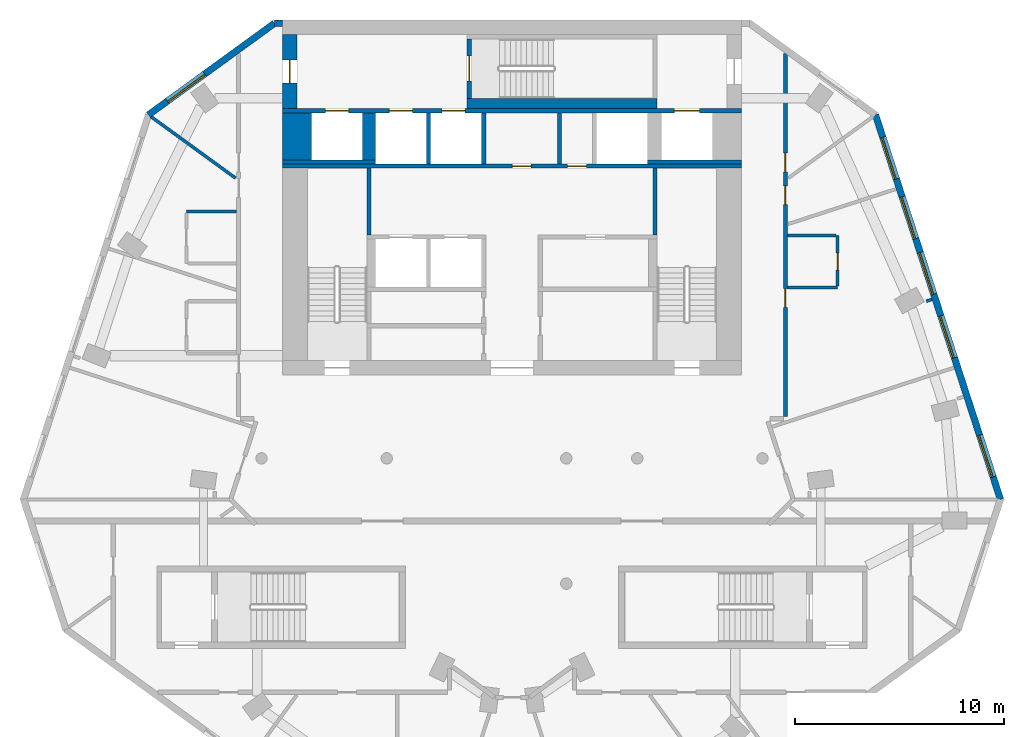
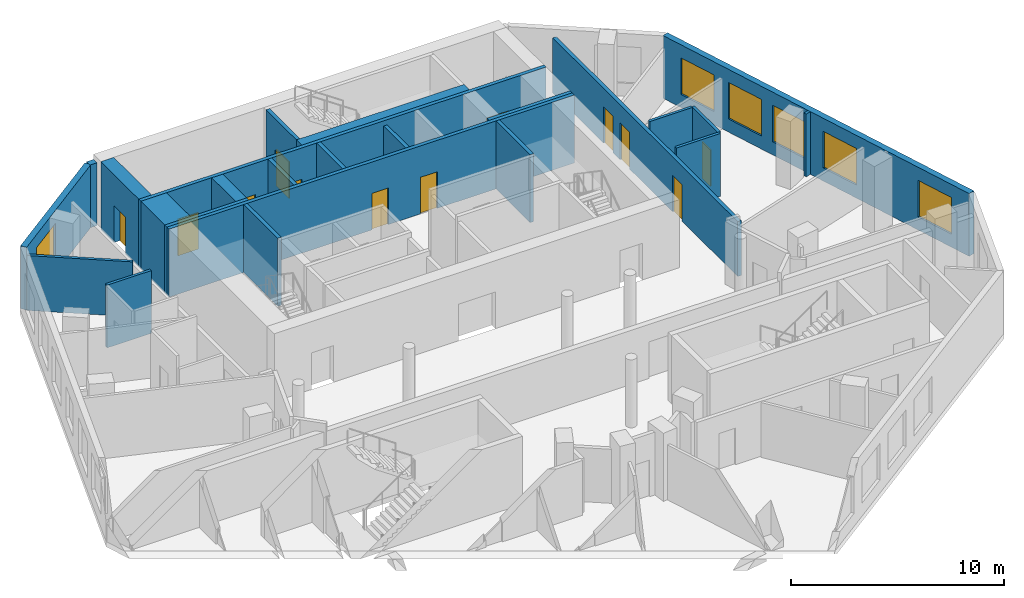
# One storey, part 5 of 8: 24 walls, 12 doors, 6 windows, 18 openings.
"""IFC4 building model written with IfcOpenShell, lengths in metres."""

from ifc_helpers import new_model, si_unit, direction, frame, frame_2d, origin, place, context, subcontext, project, spatial, rectangle, extrude, material, layer, layer_set, type_object, element, fill, save


model = new_model("IFC4")

# Units and contexts
model_context = context("Model", 3, precision=1e-05, world=origin(), true_north=direction((0.0, 1.0)))
body_context = subcontext(model_context, "Body", "Model", "MODEL_VIEW")
ifc_project = project(units=[si_unit("LENGTHUNIT", "METRE"), si_unit("AREAUNIT", "SQUARE_METRE"), si_unit("VOLUMEUNIT", "CUBIC_METRE"), si_unit("PLANEANGLEUNIT", "RADIAN"), si_unit("MASSUNIT", "GRAM", prefix="KILO")], contexts=[model_context])

# Site, building, storey
site_placement = place(None, origin())
site = spatial("IfcSite", under=ifc_project, at=site_placement, CompositionType="ELEMENT")
building_placement = place(site_placement, origin())
building = spatial("IfcBuilding", under=site, at=building_placement, Name="White Candle Pilgrim Tower", CompositionType="ELEMENT")
storey_placement = place(building_placement, frame((0.0, 0.0, 263.89990234375)))
storey = spatial("IfcBuildingStorey", under=building, at=storey_placement, Name="L62", CompositionType="ELEMENT", Elevation=263.89990234375)

# Walls
ifc_material_1 = material(Name="Concrete C50/60", Category="concrete")
ifc_layer_1 = layer(ifc_material_1, 1.39990234375)
ifc_layer_set_1 = layer_set([ifc_layer_1], Name="Core wall 1400 mm Concrete C50/60")
wall_type_1 = type_object("IfcWallType", Name="Core wall 1400 mm Concrete C50/60", PredefinedType="SHEAR", material=ifc_layer_set_1)
wall_1_placement = place(storey_placement, frame((59.699951171875, 81.300048828125, 0.0), z_axis=(0.0, 0.0, 1.0), x_axis=(0.0, 1.0, 0.0)))
element("IfcWall", 1, at=wall_1_placement, inside=storey, type_object=wall_type_1, Name="WL-L62-C39", PredefinedType="SHEAR", context=body_context, shape_type="SweptSolid", body=[
    extrude(rectangle(XDim=2.25, YDim=1.39990234375, at=frame_2d((1.125, 0.0))), origin(), (0.0, 0.0, 1.0), 3.900146484375),
])
ifc_layer_2 = layer(ifc_material_1, 0.199951171875)
ifc_layer_set_2 = layer_set([ifc_layer_2], Name="Core wall 200 mm Concrete C50/60")
wall_type_2 = type_object("IfcWallType", Name="Core wall 200 mm Concrete C50/60", PredefinedType="SHEAR", material=ifc_layer_set_2)
wall_2_placement = place(storey_placement, frame((59.0, 81.199951171875, 0.0), z_axis=(0.0, 0.0, 1.0), x_axis=(1.0, 0.0, 0.0)))
element("IfcWall", 2, at=wall_2_placement, inside=storey, type_object=wall_type_2, Name="WL-L62-C33", PredefinedType="SHEAR", context=body_context, shape_type="SweptSolid", body=[
    extrude(rectangle(XDim=4.449951171875, YDim=0.199951171875, at=frame_2d((2.22509765625, 0.0))), origin(), (0.0, 0.0, 1.0), 3.900146484375),
])
wall_3_placement = place(storey_placement, frame((76.5, 81.199951171875, 0.0), z_axis=(0.0, 0.0, 1.0), x_axis=(1.0, 0.0, 0.0)))
element("IfcWall", 3, at=wall_3_placement, inside=storey, type_object=wall_type_2, Name="WL-L62-C38", PredefinedType="SHEAR", context=body_context, shape_type="SweptSolid", body=[
    extrude(rectangle(XDim=4.5, YDim=0.199951171875, at=frame_2d((2.25, 0.0))), origin(), (0.0, 0.0, 1.0), 3.900146484375),
])

# Wall, openings, doors
wall_4_placement = place(storey_placement, frame((59.0, 83.64990234375, 0.0), z_axis=(0.0, 0.0, 1.0), x_axis=(1.0, 0.0, 0.0)))
wall_4 = element("IfcWall", 4, at=wall_4_placement, inside=storey, type_object=wall_type_2, Name="WL-L62-C43", PredefinedType="SHEAR", context=body_context, shape_type="SweptSolid", body=[
    extrude(rectangle(XDim=22.0, YDim=0.199951171875, at=frame_2d((11.0, 0.0))), origin(), (0.0, 0.0, 1.0), 3.900146484375),
])
opening_1_placement = place(wall_4_placement, frame((5.125, 0.0, 0.0)))
opening_1 = element("IfcOpeningElement", 5, at=opening_1_placement, cuts=wall_4, Name="Opening T19-016", PredefinedType="OPENING", context=body_context, shape_type="SweptSolid", body=[
    extrude(rectangle(XDim=1.10009765625, YDim=2.10009765625, at=frame_2d((0.550048828125, 1.050048828125))), frame((0.0, 0.10986328125, 0.0), z_axis=(0.0, -1.0, 0.0), x_axis=(1.0, 0.0, 0.0)), (0.0, 0.0, 1.0), 0.219970703125),
])
opening_2_placement = place(wall_4_placement, frame((7.64990234375, 0.0, 0.0)))
opening_2 = element("IfcOpeningElement", 6, at=opening_2_placement, cuts=wall_4, Name="Opening T19-017", PredefinedType="OPENING", context=body_context, shape_type="SweptSolid", body=[
    extrude(rectangle(XDim=1.10009765625, YDim=2.10009765625, at=frame_2d((0.550048828125, 1.050048828125))), frame((0.0, 0.10986328125, 0.0), z_axis=(0.0, -1.0, 0.0), x_axis=(1.0, 0.0, 0.0)), (0.0, 0.0, 1.0), 0.219970703125),
])
opening_3_placement = place(wall_4_placement, frame((18.77490234375, 0.0, 0.0)))
opening_3 = element("IfcOpeningElement", 7, at=opening_3_placement, cuts=wall_4, Name="Opening T19-018", PredefinedType="OPENING", context=body_context, shape_type="SweptSolid", body=[
    extrude(rectangle(XDim=1.199951171875, YDim=2.10009765625, at=frame_2d((0.60009765625, 1.050048828125))), frame((0.0, 0.10986328125, 0.0), z_axis=(0.0, -1.0, 0.0), x_axis=(1.0, 0.0, 0.0)), (0.0, 0.0, 1.0), 0.219970703125),
])
opening_4_placement = place(wall_4_placement, frame((2.074951171875, 0.0, 0.0)))
opening_4 = element("IfcOpeningElement", 8, at=opening_4_placement, cuts=wall_4, Name="Opening T19-019", PredefinedType="OPENING", context=body_context, shape_type="SweptSolid", body=[
    extrude(rectangle(XDim=1.10009765625, YDim=2.10009765625, at=frame_2d((0.550048828125, 1.050048828125))), frame((0.0, 0.10986328125, 0.0), z_axis=(0.0, -1.0, 0.0), x_axis=(1.0, 0.0, 0.0)), (0.0, 0.0, 1.0), 0.219970703125),
])
ifc_material_2 = material(Name="Stainless steel", Category="steel")
door_type_1 = type_object("IfcDoorType", Name="Lift landing door 1100 x 2100 EI 60", OperationType="DOUBLE_DOOR_SLIDING", PredefinedType="DOOR", material=ifc_material_2)
door_1_placement = place(opening_1_placement, origin())
door_1 = element("IfcDoor", 9, at=door_1_placement, inside=storey, type_object=door_type_1, Name="Door T19-016", OperationType="DOUBLE_DOOR_SLIDING", OverallHeight=2.10009765625, OverallWidth=1.10009765625, PredefinedType="DOOR", context=body_context, shape_type="SweptSolid", body=[
    extrude(rectangle(XDim=1.10009765625, YDim=2.10009765625, at=frame_2d((0.550048828125, 1.050048828125))), frame((0.0, 0.02490234375, 0.0), z_axis=(0.0, -1.0, 0.0), x_axis=(1.0, 0.0, 0.0)), (0.0, 0.0, 1.0), 0.050048828125),
])
fill(opening_1, door_1)
door_2_placement = place(opening_2_placement, origin())
door_2 = element("IfcDoor", 10, at=door_2_placement, inside=storey, type_object=door_type_1, Name="Door T19-017", OperationType="DOUBLE_DOOR_SLIDING", OverallHeight=2.10009765625, OverallWidth=1.10009765625, PredefinedType="DOOR", context=body_context, shape_type="SweptSolid", body=[
    extrude(rectangle(XDim=1.10009765625, YDim=2.10009765625, at=frame_2d((0.550048828125, 1.050048828125))), frame((0.0, 0.02490234375, 0.0), z_axis=(0.0, -1.0, 0.0), x_axis=(1.0, 0.0, 0.0)), (0.0, 0.0, 1.0), 0.050048828125),
])
fill(opening_2, door_2)
door_3_placement = place(opening_4_placement, origin())
door_3 = element("IfcDoor", 11, at=door_3_placement, inside=storey, type_object=door_type_1, Name="Door T19-019", OperationType="DOUBLE_DOOR_SLIDING", OverallHeight=2.10009765625, OverallWidth=1.10009765625, PredefinedType="DOOR", context=body_context, shape_type="SweptSolid", body=[
    extrude(rectangle(XDim=1.10009765625, YDim=2.10009765625, at=frame_2d((0.550048828125, 1.050048828125))), frame((0.0, 0.02490234375, 0.0), z_axis=(0.0, -1.0, 0.0), x_axis=(1.0, 0.0, 0.0)), (0.0, 0.0, 1.0), 0.050048828125),
])
fill(opening_4, door_3)
door_type_2 = type_object("IfcDoorType", Name="Lift landing door 1200 x 2100 E 60", OperationType="DOUBLE_DOOR_SLIDING", PredefinedType="DOOR", material=ifc_material_2)
door_4_placement = place(opening_3_placement, origin())
door_4 = element("IfcDoor", 12, at=door_4_placement, inside=storey, type_object=door_type_2, Name="Door T19-018", OperationType="DOUBLE_DOOR_SLIDING", OverallHeight=2.10009765625, OverallWidth=1.199951171875, PredefinedType="DOOR", context=body_context, shape_type="SweptSolid", body=[
    extrude(rectangle(XDim=1.199951171875, YDim=2.10009765625, at=frame_2d((0.60009765625, 1.050048828125))), frame((0.0, 0.02490234375, 0.0), z_axis=(0.0, -1.0, 0.0), x_axis=(1.0, 0.0, 0.0)), (0.0, 0.0, 1.0), 0.050048828125),
])
fill(opening_3, door_4)

# Wall, opening, door
ifc_layer_3 = layer(ifc_material_1, 0.699951171875)
ifc_layer_set_3 = layer_set([ifc_layer_3], Name="Core wall 700 mm Concrete C50/60")
wall_type_3 = type_object("IfcWallType", Name="Core wall 700 mm Concrete C50/60", PredefinedType="SHEAR", material=ifc_layer_set_3)
wall_5_placement = place(storey_placement, frame((59.35009765625, 83.75, 0.0), z_axis=(0.0, 0.0, 1.0), x_axis=(0.0, 1.0, 0.0)))
wall_5 = element("IfcWall", 13, at=wall_5_placement, inside=storey, type_object=wall_type_3, Name="WL-L62-C44", PredefinedType="SHEAR", context=body_context, shape_type="SweptSolid", body=[
    extrude(rectangle(XDim=3.550048828125, YDim=0.699951171875, at=frame_2d((1.77490234375, 0.0))), origin(), (0.0, 0.0, 1.0), 3.900146484375),
])
opening_5_placement = place(wall_5_placement, frame((1.22509765625, 0.0, 0.0)))
opening_5 = element("IfcOpeningElement", 14, at=opening_5_placement, cuts=wall_5, Name="Opening T19-008", PredefinedType="OPENING", context=body_context, shape_type="SweptSolid", body=[
    extrude(rectangle(XDim=1.10009765625, YDim=2.10009765625, at=frame_2d((0.550048828125, 1.050048828125))), frame((0.0, 0.35986328125, 0.0), z_axis=(0.0, -1.0, 0.0), x_axis=(1.0, 0.0, 0.0)), (0.0, 0.0, 1.0), 0.719970703125),
])
ifc_material_3 = material(Name="Steel door leaf", Category="steel")
door_type_3 = type_object("IfcDoorType", Name="Fire door 1100 x 2100 EI 60", OperationType="NOTDEFINED", PredefinedType="DOOR", material=ifc_material_3)
door_5_placement = place(opening_5_placement, origin())
door_5 = element("IfcDoor", 15, at=door_5_placement, inside=storey, type_object=door_type_3, Name="Door T19-008", OperationType="SINGLE_SWING_RIGHT", OverallHeight=2.10009765625, OverallWidth=1.10009765625, PredefinedType="DOOR", context=body_context, shape_type="SweptSolid", body=[
    extrude(rectangle(XDim=1.10009765625, YDim=2.10009765625, at=frame_2d((0.550048828125, 1.050048828125))), frame((0.0, 0.02490234375, 0.0), z_axis=(0.0, -1.0, 0.0), x_axis=(1.0, 0.0, 0.0)), (0.0, 0.0, 1.0), 0.050048828125),
])
fill(opening_5, door_5)

# Wall, openings, doors
ifc_material_4 = material(Name="Gypsum board on steel studs", Category="steel")
ifc_layer_4 = layer(ifc_material_4, 0.199951171875)
ifc_layer_set_4 = layer_set([ifc_layer_4], Name="Corridor wall 200 mm EI 45")
wall_type_4 = type_object("IfcWallType", Name="Corridor wall 200 mm EI 45", PredefinedType="PARTITIONING", material=ifc_layer_set_4)
wall_6_placement = place(storey_placement, frame((83.10009765625, 86.396240234375, 0.0), z_axis=(0.0, 0.0, 1.0), x_axis=(0.0, -1.0, 0.0)))
wall_6 = element("IfcWall", 16, at=wall_6_placement, inside=storey, type_object=wall_type_4, Name="WL-L62-P007", PredefinedType="PARTITIONING", context=body_context, shape_type="SweptSolid", body=[
    extrude(rectangle(XDim=17.396240234375, YDim=0.199951171875, at=frame_2d((8.6982421875, 0.0))), origin(), (0.0, 0.0, 1.0), 3.150146484375),
])
opening_6_placement = place(wall_6_placement, frame((4.768798828125, 0.0, 0.0)))
opening_6 = element("IfcOpeningElement", 17, at=opening_6_placement, cuts=wall_6, Name="Opening T19-118", PredefinedType="OPENING", context=body_context, shape_type="SweptSolid", body=[
    extrude(rectangle(XDim=0.89990234375, YDim=2.10009765625, at=frame_2d((0.449951171875, 1.050048828125))), frame((0.0, 0.10986328125, 0.0), z_axis=(0.0, -1.0, 0.0), x_axis=(1.0, 0.0, 0.0)), (0.0, 0.0, 1.0), 0.219970703125),
])
opening_7_placement = place(wall_6_placement, frame((6.34521484375, 0.0, 0.0)))
opening_7 = element("IfcOpeningElement", 18, at=opening_7_placement, cuts=wall_6, Name="Opening T19-119", PredefinedType="OPENING", context=body_context, shape_type="SweptSolid", body=[
    extrude(rectangle(XDim=0.89990234375, YDim=2.10009765625, at=frame_2d((0.449951171875, 1.050048828125))), frame((0.0, 0.10986328125, 0.0), z_axis=(0.0, -1.0, 0.0), x_axis=(1.0, 0.0, 0.0)), (0.0, 0.0, 1.0), 0.219970703125),
])
opening_8_placement = place(wall_6_placement, frame((11.259033203125, 0.0, 0.0)))
opening_8 = element("IfcOpeningElement", 19, at=opening_8_placement, cuts=wall_6, Name="Opening T19-120", PredefinedType="OPENING", context=body_context, shape_type="SweptSolid", body=[
    extrude(rectangle(XDim=0.89990234375, YDim=2.10009765625, at=frame_2d((0.449951171875, 1.050048828125))), frame((0.0, 0.10986328125, 0.0), z_axis=(0.0, -1.0, 0.0), x_axis=(1.0, 0.0, 0.0)), (0.0, 0.0, 1.0), 0.219970703125),
])
door_type_4 = type_object("IfcDoorType", Name="Fire door 900 x 2100 EI 30", OperationType="NOTDEFINED", PredefinedType="DOOR", material=ifc_material_3)
door_6_placement = place(opening_6_placement, origin())
door_6 = element("IfcDoor", 20, at=door_6_placement, inside=storey, type_object=door_type_4, Name="Door T19-118", OperationType="SINGLE_SWING_RIGHT", OverallHeight=2.10009765625, OverallWidth=0.89990234375, PredefinedType="DOOR", context=body_context, shape_type="SweptSolid", body=[
    extrude(rectangle(XDim=0.89990234375, YDim=2.10009765625, at=frame_2d((0.449951171875, 1.050048828125))), frame((0.0, 0.02490234375, 0.0), z_axis=(0.0, -1.0, 0.0), x_axis=(1.0, 0.0, 0.0)), (0.0, 0.0, 1.0), 0.050048828125),
])
fill(opening_6, door_6)
door_7_placement = place(opening_7_placement, origin())
door_7 = element("IfcDoor", 21, at=door_7_placement, inside=storey, type_object=door_type_4, Name="Door T19-119", OperationType="SINGLE_SWING_LEFT", OverallHeight=2.10009765625, OverallWidth=0.89990234375, PredefinedType="DOOR", context=body_context, shape_type="SweptSolid", body=[
    extrude(rectangle(XDim=0.89990234375, YDim=2.10009765625, at=frame_2d((0.449951171875, 1.050048828125))), frame((0.0, 0.02490234375, 0.0), z_axis=(0.0, -1.0, 0.0), x_axis=(1.0, 0.0, 0.0)), (0.0, 0.0, 1.0), 0.050048828125),
])
fill(opening_7, door_7)
door_8_placement = place(opening_8_placement, frame((0.89990234375, 0.0, 0.0), z_axis=(0.0, 0.0, 1.0), x_axis=(-1.0, 0.0, 0.0)))
door_8 = element("IfcDoor", 22, at=door_8_placement, inside=storey, type_object=door_type_4, Name="Door T19-120", OperationType="SINGLE_SWING_LEFT", OverallHeight=2.10009765625, OverallWidth=0.89990234375, PredefinedType="DOOR", context=body_context, shape_type="SweptSolid", body=[
    extrude(rectangle(XDim=0.89990234375, YDim=2.10009765625, at=frame_2d((0.449951171875, 1.050048828125))), frame((0.0, 0.02490234375, 0.0), z_axis=(0.0, -1.0, 0.0), x_axis=(1.0, 0.0, 0.0)), (0.0, 0.0, 1.0), 0.050048828125),
])
fill(opening_8, door_8)

# Wall, openings, windows
ifc_material_5 = material(Name="Precast concrete C40/50", Category="concrete")
ifc_layer_5 = layer(ifc_material_5, 0.320068359375)
ifc_layer_set_5 = layer_set([ifc_layer_5], Name="Facade wall EW1 precast concrete C40/50 pier wall with timber-lined reveals")
wall_type_5 = type_object("IfcWallType", Name="Facade wall EW1 precast concrete C40/50 pier wall with timber-lined reveals", PredefinedType="SOLIDWALL", material=ifc_layer_set_5)
wall_7_placement = place(storey_placement, frame((93.40087890625, 65.03759765625, 0.0), z_axis=(0.0, 0.0, 1.0), x_axis=(-0.309018808064, 0.95105592699, 0.0)))
wall_7 = element("IfcWall", 23, at=wall_7_placement, inside=storey, type_object=wall_type_5, Name="Facade wall L62 ENE", PredefinedType="SOLIDWALL", context=body_context, shape_type="SweptSolid", body=[
    extrude(rectangle(XDim=19.368896484375, YDim=0.320068359375, at=frame_2d((9.6845703125, 0.0))), origin(), (0.0, 0.0, 1.0), 3.60009765625),
])
opening_9_placement = place(wall_7_placement, frame((1.134521484375, 0.0, 0.75)))
opening_9 = element("IfcOpeningElement", 24, at=opening_9_placement, cuts=wall_7, Name="Opening W3", PredefinedType="OPENING", context=body_context, shape_type="SweptSolid", body=[
    extrude(rectangle(XDim=2.10009765625, YDim=2.10009765625, at=frame_2d((1.050048828125, 1.050048828125))), frame((0.0, 0.169921875, 0.0), z_axis=(0.0, -1.0, 0.0), x_axis=(1.0, 0.0, 0.0)), (0.0, 0.0, 1.0), 0.340087890625),
])
opening_10_placement = place(wall_7_placement, frame((7.134521484375, 0.0, 0.75)))
opening_10 = element("IfcOpeningElement", 25, at=opening_10_placement, cuts=wall_7, Name="Opening W3", PredefinedType="OPENING", context=body_context, shape_type="SweptSolid", body=[
    extrude(rectangle(XDim=2.10009765625, YDim=2.10009765625, at=frame_2d((1.050048828125, 1.050048828125))), frame((0.0, 0.169921875, 0.0), z_axis=(0.0, -1.0, 0.0), x_axis=(1.0, 0.0, 0.0)), (0.0, 0.0, 1.0), 0.340087890625),
])
opening_11_placement = place(wall_7_placement, frame((10.33447265625, 0.0, 0.75)))
opening_11 = element("IfcOpeningElement", 26, at=opening_11_placement, cuts=wall_7, Name="Opening W3", PredefinedType="OPENING", context=body_context, shape_type="SweptSolid", body=[
    extrude(rectangle(XDim=2.10009765625, YDim=2.10009765625, at=frame_2d((1.050048828125, 1.050048828125))), frame((0.0, 0.169921875, 0.0), z_axis=(0.0, -1.0, 0.0), x_axis=(1.0, 0.0, 0.0)), (0.0, 0.0, 1.0), 0.340087890625),
])
opening_12_placement = place(wall_7_placement, frame((13.134521484375, 0.0, 0.75)))
opening_12 = element("IfcOpeningElement", 27, at=opening_12_placement, cuts=wall_7, Name="Opening W3", PredefinedType="OPENING", context=body_context, shape_type="SweptSolid", body=[
    extrude(rectangle(XDim=2.10009765625, YDim=2.10009765625, at=frame_2d((1.050048828125, 1.050048828125))), frame((0.0, 0.169921875, 0.0), z_axis=(0.0, -1.0, 0.0), x_axis=(1.0, 0.0, 0.0)), (0.0, 0.0, 1.0), 0.340087890625),
])
opening_13_placement = place(wall_7_placement, frame((16.134521484375, 0.0, 0.75)))
opening_13 = element("IfcOpeningElement", 28, at=opening_13_placement, cuts=wall_7, Name="Opening W3", PredefinedType="OPENING", context=body_context, shape_type="SweptSolid", body=[
    extrude(rectangle(XDim=2.10009765625, YDim=2.10009765625, at=frame_2d((1.050048828125, 1.050048828125))), frame((0.0, 0.169921875, 0.0), z_axis=(0.0, -1.0, 0.0), x_axis=(1.0, 0.0, 0.0)), (0.0, 0.0, 1.0), 0.340087890625),
])
ifc_material_6 = material(Name="Timber frame with triple glazing", Category="wood")
window_type_1 = type_object("IfcWindowType", Name="Window W3 2100x2100 timber frame triple glazing", PartitioningType="SINGLE_PANEL", PredefinedType="WINDOW", material=ifc_material_6)
window_1_placement = place(opening_9_placement, origin())
window_1 = element("IfcWindow", 29, at=window_1_placement, inside=storey, type_object=window_type_1, Name="Window W3 L62 ENE 1", OverallHeight=2.10009765625, OverallWidth=2.10009765625, PartitioningType="SINGLE_PANEL", PredefinedType="WINDOW", context=body_context, shape_type="SweptSolid", body=[
    extrude(rectangle(XDim=2.10009765625, YDim=2.10009765625, at=frame_2d((1.050048828125, 1.050048828125))), frame((0.0, 0.070068359375, 0.0), z_axis=(0.0, -1.0, 0.0), x_axis=(1.0, 0.0, 0.0)), (0.0, 0.0, 1.0), 0.06005859375),
])
fill(opening_9, window_1)
window_2_placement = place(opening_10_placement, origin())
window_2 = element("IfcWindow", 30, at=window_2_placement, inside=storey, type_object=window_type_1, Name="Window W3 L62 ENE 3", OverallHeight=2.10009765625, OverallWidth=2.10009765625, PartitioningType="SINGLE_PANEL", PredefinedType="WINDOW", context=body_context, shape_type="SweptSolid", body=[
    extrude(rectangle(XDim=2.10009765625, YDim=2.10009765625, at=frame_2d((1.050048828125, 1.050048828125))), frame((0.0, 0.070068359375, 0.0), z_axis=(0.0, -1.0, 0.0), x_axis=(1.0, 0.0, 0.0)), (0.0, 0.0, 1.0), 0.06005859375),
])
fill(opening_10, window_2)
window_3_placement = place(opening_11_placement, origin())
window_3 = element("IfcWindow", 31, at=window_3_placement, inside=storey, type_object=window_type_1, Name="Window W3 L62 ENE 4", OverallHeight=2.10009765625, OverallWidth=2.10009765625, PartitioningType="SINGLE_PANEL", PredefinedType="WINDOW", context=body_context, shape_type="SweptSolid", body=[
    extrude(rectangle(XDim=2.10009765625, YDim=2.10009765625, at=frame_2d((1.050048828125, 1.050048828125))), frame((0.0, 0.070068359375, 0.0), z_axis=(0.0, -1.0, 0.0), x_axis=(1.0, 0.0, 0.0)), (0.0, 0.0, 1.0), 0.06005859375),
])
fill(opening_11, window_3)
window_4_placement = place(opening_12_placement, origin())
window_4 = element("IfcWindow", 32, at=window_4_placement, inside=storey, type_object=window_type_1, Name="Window W3 L62 ENE 5", OverallHeight=2.10009765625, OverallWidth=2.10009765625, PartitioningType="SINGLE_PANEL", PredefinedType="WINDOW", context=body_context, shape_type="SweptSolid", body=[
    extrude(rectangle(XDim=2.10009765625, YDim=2.10009765625, at=frame_2d((1.050048828125, 1.050048828125))), frame((0.0, 0.070068359375, 0.0), z_axis=(0.0, -1.0, 0.0), x_axis=(1.0, 0.0, 0.0)), (0.0, 0.0, 1.0), 0.06005859375),
])
fill(opening_12, window_4)
window_5_placement = place(opening_13_placement, origin())
window_5 = element("IfcWindow", 33, at=window_5_placement, inside=storey, type_object=window_type_1, Name="Window W3 L62 ENE 6", OverallHeight=2.10009765625, OverallWidth=2.10009765625, PartitioningType="SINGLE_PANEL", PredefinedType="WINDOW", context=body_context, shape_type="SweptSolid", body=[
    extrude(rectangle(XDim=2.10009765625, YDim=2.10009765625, at=frame_2d((1.050048828125, 1.050048828125))), frame((0.0, 0.070068359375, 0.0), z_axis=(0.0, -1.0, 0.0), x_axis=(1.0, 0.0, 0.0)), (0.0, 0.0, 1.0), 0.06005859375),
])
fill(opening_13, window_5)

# Wall
wall_8_placement = place(storey_placement, frame((59.0, 87.840087890625, 0.0), z_axis=(0.0, 0.0, 1.0), x_axis=(-1.0, 0.0, 0.0)))
element("IfcWall", 34, at=wall_8_placement, inside=storey, type_object=wall_type_5, Name="Facade wall L62 N", PredefinedType="SOLIDWALL", context=body_context, shape_type="SweptSolid", body=[
    extrude(rectangle(XDim=0.385009765625, YDim=0.320068359375, at=frame_2d((0.1923828125, 0.0))), origin(), (0.0, 0.0, 1.0), 3.60009765625),
])

# Wall, opening, window
wall_9_placement = place(storey_placement, frame((58.614990234375, 87.840087890625, 0.0), z_axis=(0.0, 0.0, 1.0), x_axis=(-0.80900651237, -0.587799679264, 0.0)))
wall_9 = element("IfcWall", 35, at=wall_9_placement, inside=storey, type_object=wall_type_5, Name="Facade wall L62 NW chamfer", PredefinedType="SOLIDWALL", context=body_context, shape_type="SweptSolid", body=[
    extrude(rectangle(XDim=7.454345703125, YDim=0.320068359375, at=frame_2d((3.72705078125, 0.0))), origin(), (0.0, 0.0, 1.0), 3.60009765625),
])
opening_14_placement = place(wall_9_placement, frame((4.127197265625, 0.0, 0.75)))
opening_14 = element("IfcOpeningElement", 36, at=opening_14_placement, cuts=wall_9, Name="Opening W4", PredefinedType="OPENING", context=body_context, shape_type="SweptSolid", body=[
    extrude(rectangle(XDim=2.199951171875, YDim=2.10009765625, at=frame_2d((1.10009765625, 1.050048828125))), frame((0.0, 0.169921875, 0.0), z_axis=(0.0, -1.0, 0.0), x_axis=(1.0, 0.0, 0.0)), (0.0, 0.0, 1.0), 0.340087890625),
])
window_type_2 = type_object("IfcWindowType", Name="Window W4 2200x2100 timber frame triple glazing", PartitioningType="SINGLE_PANEL", PredefinedType="WINDOW", material=ifc_material_6)
window_6_placement = place(opening_14_placement, origin())
window_6 = element("IfcWindow", 37, at=window_6_placement, inside=storey, type_object=window_type_2, Name="Window W4 L62 NW chamfer 2", OverallHeight=2.10009765625, OverallWidth=2.199951171875, PartitioningType="SINGLE_PANEL", PredefinedType="WINDOW", context=body_context, shape_type="SweptSolid", body=[
    extrude(rectangle(XDim=2.199951171875, YDim=2.10009765625, at=frame_2d((1.10009765625, 1.050048828125))), frame((0.0, 0.070068359375, 0.0), z_axis=(0.0, -1.0, 0.0), x_axis=(1.0, 0.0, 0.0)), (0.0, 0.0, 1.0), 0.06005859375),
])
fill(opening_14, window_6)

# Walls
ifc_layer_6 = layer(ifc_material_4, 0.199951171875)
ifc_layer_set_6 = layer_set([ifc_layer_6], Name="Lobby wall 200 mm EI 60")
wall_type_6 = type_object("IfcWallType", Name="Lobby wall 200 mm EI 60", PredefinedType="PARTITIONING", material=ifc_layer_set_6)
wall_10_placement = place(storey_placement, frame((72.280029296875, 81.10009765625, 0.0), z_axis=(0.0, 0.0, 1.0), x_axis=(0.0, 1.0, 0.0)))
element("IfcWall", 38, at=wall_10_placement, inside=storey, type_object=wall_type_6, Name="WL-L62-C36", PredefinedType="PARTITIONING", context=body_context, shape_type="SweptSolid", body=[
    extrude(rectangle(XDim=2.449951171875, YDim=0.199951171875, at=frame_2d((1.22509765625, 0.0))), origin(), (0.0, 0.0, 1.0), 3.60009765625),
])
ifc_layer_7 = layer(ifc_material_4, 0.14990234375)
ifc_layer_set_7 = layer_set([ifc_layer_7], Name="Partition 150 mm EI 60")
wall_type_7 = type_object("IfcWallType", Name="Partition 150 mm EI 60", PredefinedType="PARTITIONING", material=ifc_layer_set_7)
wall_11_placement = place(storey_placement, frame((52.720458984375, 83.359619140625, 0.0), z_axis=(0.0, 0.0, 1.0), x_axis=(0.809017493514, -0.587784565286, 0.0)))
element("IfcWall", 39, at=wall_11_placement, inside=storey, type_object=wall_type_7, Name="WL-L62-P019", PredefinedType="PARTITIONING", context=body_context, shape_type="SweptSolid", body=[
    extrude(rectangle(XDim=4.988037109375, YDim=0.14990234375, at=frame_2d((2.494140625, 0.0))), origin(), (0.0, 0.0, 1.0), 3.150146484375),
])
for number, where, z_axis, x_axis, name in (
    (40, (56.800048828125, 78.827880859375, 0.0), (0.0, 0.0, 1.0), (-1.0, 0.0, 0.0), "WL-L62-P031"),
    (41, (83.199951171875, 75.182373046875, 0.0), (0.0, 0.0, 1.0), (1.0, 0.0, 0.0), "WL-L62-P044"),
):
    element("IfcWall", number, at=place(storey_placement, frame(where, z_axis=z_axis, x_axis=x_axis)), inside=storey, type_object=wall_type_7, Name=name, PredefinedType="PARTITIONING", context=body_context, shape_type="SweptSolid", body=[
        extrude(rectangle(XDim=2.400146484375, YDim=0.14990234375, at=frame_2d((1.2001953125, 0.0))), origin(), (0.0, 0.0, 1.0), 3.60009765625),
    ])

# Wall, opening, door
wall_12_placement = place(storey_placement, frame((85.60009765625, 77.682373046875, 0.0), z_axis=(0.0, 0.0, 1.0), x_axis=(0.0, -1.0, 0.0)))
wall_12 = element("IfcWall", 42, at=wall_12_placement, inside=storey, type_object=wall_type_7, Name="WL-L62-P045", PredefinedType="PARTITIONING", context=body_context, shape_type="SweptSolid", body=[
    extrude(rectangle(XDim=2.425048828125, YDim=0.14990234375, at=frame_2d((1.21240234375, 0.0))), origin(), (0.0, 0.0, 1.0), 3.60009765625),
])
opening_15_placement = place(wall_12_placement, frame((0.85009765625, 0.0, 0.0)))
opening_15 = element("IfcOpeningElement", 43, at=opening_15_placement, cuts=wall_12, Name="Opening T19-110", PredefinedType="OPENING", context=body_context, shape_type="SweptSolid", body=[
    extrude(rectangle(XDim=0.800048828125, YDim=2.10009765625, at=frame_2d((0.39990234375, 1.050048828125))), frame((0.0, 0.0849609375, 0.0), z_axis=(0.0, -1.0, 0.0), x_axis=(1.0, 0.0, 0.0)), (0.0, 0.0, 1.0), 0.169921875),
])
door_type_5 = type_object("IfcDoorType", Name="Fire door 800 x 2100 EI 30", OperationType="NOTDEFINED", PredefinedType="DOOR", material=ifc_material_3)
door_9_placement = place(opening_15_placement, origin())
door_9 = element("IfcDoor", 44, at=door_9_placement, inside=storey, type_object=door_type_5, Name="Door T19-110", OperationType="SINGLE_SWING_RIGHT", OverallHeight=2.10009765625, OverallWidth=0.800048828125, PredefinedType="DOOR", context=body_context, shape_type="SweptSolid", body=[
    extrude(rectangle(XDim=0.800048828125, YDim=2.10009765625, at=frame_2d((0.39990234375, 1.050048828125))), frame((0.0, 0.02490234375, 0.0), z_axis=(0.0, -1.0, 0.0), x_axis=(1.0, 0.0, 0.0)), (0.0, 0.0, 1.0), 0.050048828125),
])
fill(opening_15, door_9)

# Walls
wall_13_placement = place(storey_placement, frame((83.199951171875, 77.682373046875, 0.0), z_axis=(0.0, 0.0, 1.0), x_axis=(1.0, 0.0, 0.0)))
element("IfcWall", 45, at=wall_13_placement, inside=storey, type_object=wall_type_7, Name="WL-L62-P046", PredefinedType="PARTITIONING", context=body_context, shape_type="SweptSolid", body=[
    extrude(rectangle(XDim=2.324951171875, YDim=0.14990234375, at=frame_2d((1.16259765625, 0.0))), origin(), (0.0, 0.0, 1.0), 3.60009765625),
])
wall_14_placement = place(storey_placement, frame((89.844482421875, 74.528564453125, 0.0), z_axis=(0.0, 0.0, 1.0), x_axis=(0.950934896197, 0.30939105222, 0.0)))
element("IfcWall", 46, at=wall_14_placement, inside=storey, type_object=wall_type_7, Name="WL-L62-P050", PredefinedType="PARTITIONING", context=body_context, shape_type="SweptSolid", body=[
    extrude(rectangle(XDim=0.28955078125, YDim=0.14990234375, at=frame_2d((0.144775390625, 0.0))), origin(), (0.0, 0.0, 1.0), 3.60009765625),
])
ifc_layer_8 = layer(ifc_material_1, 0.199951171875)
ifc_layer_set_8 = layer_set([ifc_layer_8], Name="Shaft wall 200 mm Concrete C50/60")
wall_type_8 = type_object("IfcWallType", Name="Shaft wall 200 mm Concrete C50/60", PredefinedType="SHEAR", material=ifc_layer_set_8)
for number, where, z_axis, x_axis, name in (
    (47, (66.0, 81.10009765625, 0.0), (0.0, 0.0, 1.0), (0.0, 1.0, 0.0), "WL-L62-C34"),
    (48, (68.64990234375, 81.10009765625, 0.0), (0.0, 0.0, 1.0), (0.0, 1.0, 0.0), "WL-L62-C35"),
):
    element("IfcWall", number, at=place(storey_placement, frame(where, z_axis=z_axis, x_axis=x_axis)), inside=storey, type_object=wall_type_8, Name=name, PredefinedType="SHEAR", context=body_context, shape_type="SweptSolid", body=[
        extrude(rectangle(XDim=2.449951171875, YDim=0.199951171875, at=frame_2d((1.22509765625, 0.0))), origin(), (0.0, 0.0, 1.0), 3.900146484375),
    ])
ifc_layer_9 = layer(ifc_material_1, 0.60009765625)
ifc_layer_set_9 = layer_set([ifc_layer_9], Name="Shaft wall 600 mm Concrete C50/60")
wall_type_9 = type_object("IfcWallType", Name="Shaft wall 600 mm Concrete C50/60", PredefinedType="SHEAR", material=ifc_layer_set_9)
wall_15_placement = place(storey_placement, frame((63.14990234375, 81.300048828125, 0.0), z_axis=(0.0, 0.0, 1.0), x_axis=(0.0, 1.0, 0.0)))
element("IfcWall", 49, at=wall_15_placement, inside=storey, type_object=wall_type_9, Name="WL-L62-C40", PredefinedType="SHEAR", context=body_context, shape_type="SweptSolid", body=[
    extrude(rectangle(XDim=2.25, YDim=0.60009765625, at=frame_2d((1.125, 0.0))), origin(), (0.0, 0.0, 1.0), 3.900146484375),
])
ifc_layer_10 = layer(ifc_material_1, 0.199951171875)
ifc_layer_set_10 = layer_set([ifc_layer_10], Name="Stair shaft wall 200 mm Concrete C50/60")
wall_type_10 = type_object("IfcWallType", Name="Stair shaft wall 200 mm Concrete C50/60", PredefinedType="SHEAR", material=ifc_layer_set_10)
for number, where, z_axis, x_axis, name in (
    (50, (63.14990234375, 77.699951171875, 0.0), (0.0, 0.0, 1.0), (0.0, 1.0, 0.0), "WL-L62-C30"),
    (51, (76.85009765625, 77.699951171875, 0.0), (0.0, 0.0, 1.0), (0.0, 1.0, 0.0), "WL-L62-C31"),
):
    element("IfcWall", number, at=place(storey_placement, frame(where, z_axis=z_axis, x_axis=x_axis)), inside=storey, type_object=wall_type_10, Name=name, PredefinedType="SHEAR", context=body_context, shape_type="SweptSolid", body=[
        extrude(rectangle(XDim=3.199951171875, YDim=0.199951171875, at=frame_2d((1.60009765625, 0.0))), origin(), (0.0, 0.0, 1.0), 3.900146484375),
    ])

# Wall, openings, doors
wall_16_placement = place(storey_placement, frame((59.0, 81.0, 0.0), z_axis=(0.0, 0.0, 1.0), x_axis=(1.0, 0.0, 0.0)))
wall_16 = element("IfcWall", 52, at=wall_16_placement, inside=storey, type_object=wall_type_10, Name="WL-L62-C32", PredefinedType="SHEAR", context=body_context, shape_type="SweptSolid", body=[
    extrude(rectangle(XDim=22.0, YDim=0.199951171875, at=frame_2d((11.0, 0.0))), origin(), (0.0, 0.0, 1.0), 3.900146484375),
])
opening_16_placement = place(wall_16_placement, frame((11.014892578125, 0.0, 0.0)))
opening_16 = element("IfcOpeningElement", 53, at=opening_16_placement, cuts=wall_16, Name="Opening T19-021", PredefinedType="OPENING", context=body_context, shape_type="SweptSolid", body=[
    extrude(rectangle(XDim=0.89990234375, YDim=2.10009765625, at=frame_2d((0.449951171875, 1.050048828125))), frame((0.0, 0.10986328125, 0.0), z_axis=(0.0, -1.0, 0.0), x_axis=(1.0, 0.0, 0.0)), (0.0, 0.0, 1.0), 0.219970703125),
])
opening_17_placement = place(wall_16_placement, frame((13.6650390625, 0.0, 0.0)))
opening_17 = element("IfcOpeningElement", 54, at=opening_17_placement, cuts=wall_16, Name="Opening T19-022", PredefinedType="OPENING", context=body_context, shape_type="SweptSolid", body=[
    extrude(rectangle(XDim=0.89990234375, YDim=2.10009765625, at=frame_2d((0.449951171875, 1.050048828125))), frame((0.0, 0.10986328125, 0.0), z_axis=(0.0, -1.0, 0.0), x_axis=(1.0, 0.0, 0.0)), (0.0, 0.0, 1.0), 0.219970703125),
])
door_10_placement = place(opening_16_placement, origin())
door_10 = element("IfcDoor", 55, at=door_10_placement, inside=storey, type_object=door_type_4, Name="Door T19-021", OperationType="SINGLE_SWING_LEFT", OverallHeight=2.10009765625, OverallWidth=0.89990234375, PredefinedType="DOOR", context=body_context, shape_type="SweptSolid", body=[
    extrude(rectangle(XDim=0.89990234375, YDim=2.10009765625, at=frame_2d((0.449951171875, 1.050048828125))), frame((0.0, 0.02490234375, 0.0), z_axis=(0.0, -1.0, 0.0), x_axis=(1.0, 0.0, 0.0)), (0.0, 0.0, 1.0), 0.050048828125),
])
fill(opening_16, door_10)
door_11_placement = place(opening_17_placement, origin())
door_11 = element("IfcDoor", 56, at=door_11_placement, inside=storey, type_object=door_type_4, Name="Door T19-022", OperationType="SINGLE_SWING_RIGHT", OverallHeight=2.10009765625, OverallWidth=0.89990234375, PredefinedType="DOOR", context=body_context, shape_type="SweptSolid", body=[
    extrude(rectangle(XDim=0.89990234375, YDim=2.10009765625, at=frame_2d((0.449951171875, 1.050048828125))), frame((0.0, 0.02490234375, 0.0), z_axis=(0.0, -1.0, 0.0), x_axis=(1.0, 0.0, 0.0)), (0.0, 0.0, 1.0), 0.050048828125),
])
fill(opening_17, door_11)

# Wall, opening, door
wall_17_placement = place(storey_placement, frame((67.949951171875, 84.25, 0.0), z_axis=(0.0, 0.0, 1.0), x_axis=(0.0, 1.0, 0.0)))
wall_17 = element("IfcWall", 57, at=wall_17_placement, inside=storey, type_object=wall_type_10, Name="WL-L62-C47", PredefinedType="SHEAR", context=body_context, shape_type="SweptSolid", body=[
    extrude(rectangle(XDim=2.85009765625, YDim=0.199951171875, at=frame_2d((1.425048828125, 0.0))), origin(), (0.0, 0.0, 1.0), 3.900146484375),
])
opening_18_placement = place(wall_17_placement, frame((0.824951171875, 0.0, 0.0)))
opening_18 = element("IfcOpeningElement", 58, at=opening_18_placement, cuts=wall_17, Name="Opening T19-003", PredefinedType="OPENING", context=body_context, shape_type="SweptSolid", body=[
    extrude(rectangle(XDim=1.199951171875, YDim=2.10009765625, at=frame_2d((0.60009765625, 1.050048828125))), frame((0.0, 0.10986328125, 0.0), z_axis=(0.0, -1.0, 0.0), x_axis=(1.0, 0.0, 0.0)), (0.0, 0.0, 1.0), 0.219970703125),
])
door_type_6 = type_object("IfcDoorType", Name="Fire door 1200 x 2100 EI 60", OperationType="NOTDEFINED", PredefinedType="DOOR", material=ifc_material_3)
door_12_placement = place(opening_18_placement, frame((1.199951171875, 0.0, 0.0), z_axis=(0.0, 0.0, 1.0), x_axis=(-1.0, 0.0, 0.0)))
door_12 = element("IfcDoor", 59, at=door_12_placement, inside=storey, type_object=door_type_6, Name="Door T19-003", OperationType="SINGLE_SWING_RIGHT", OverallHeight=2.10009765625, OverallWidth=1.199951171875, PredefinedType="DOOR", context=body_context, shape_type="SweptSolid", body=[
    extrude(rectangle(XDim=1.199951171875, YDim=2.10009765625, at=frame_2d((0.60009765625, 1.050048828125))), frame((0.0, 0.02490234375, 0.0), z_axis=(0.0, -1.0, 0.0), x_axis=(1.0, 0.0, 0.0)), (0.0, 0.0, 1.0), 0.050048828125),
])
fill(opening_18, door_12)

# Wall
ifc_layer_11 = layer(ifc_material_1, 0.5)
ifc_layer_set_11 = layer_set([ifc_layer_11], Name="Stair shaft wall 500 mm Concrete C50/60")
wall_type_11 = type_object("IfcWallType", Name="Stair shaft wall 500 mm Concrete C50/60", PredefinedType="SHEAR", material=ifc_layer_set_11)
wall_18_placement = place(storey_placement, frame((67.85009765625, 84.0, 0.0), z_axis=(0.0, 0.0, 1.0), x_axis=(1.0, 0.0, 0.0)))
element("IfcWall", 60, at=wall_18_placement, inside=storey, type_object=wall_type_11, Name="WL-L62-C45", PredefinedType="SHEAR", context=body_context, shape_type="SweptSolid", body=[
    extrude(rectangle(XDim=9.099853515625, YDim=0.5, at=frame_2d((4.5498046875, 0.0))), origin(), (0.0, 0.0, 1.0), 3.900146484375),
])

save(model, "model.ifc")
